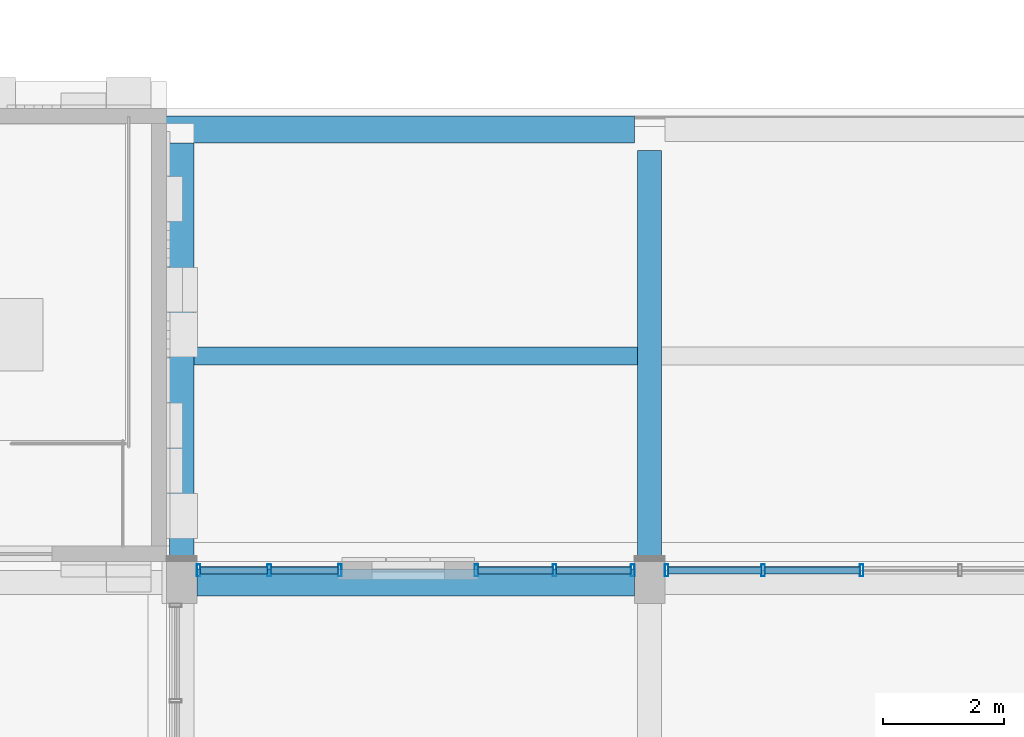
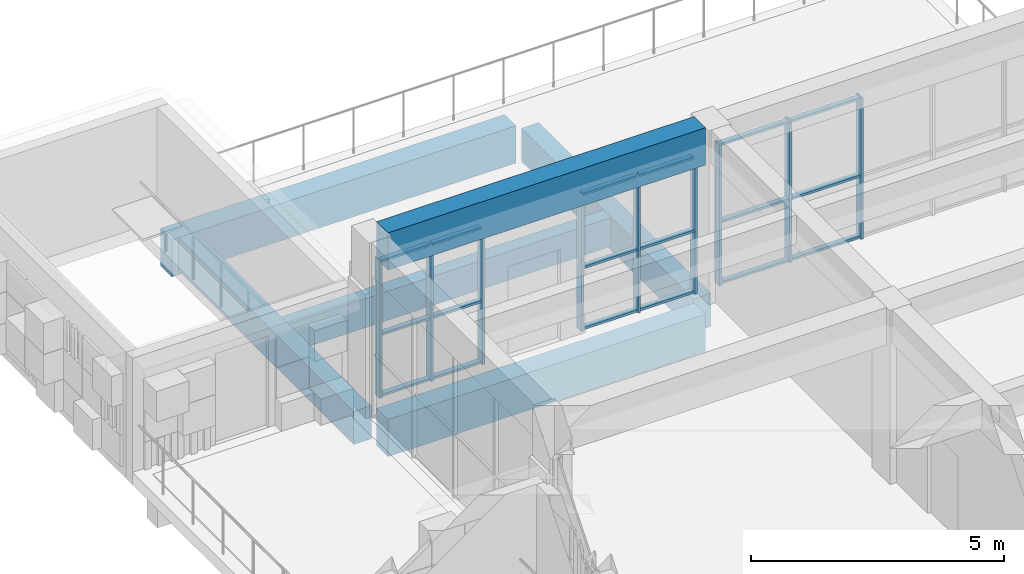
# One storey, part 12 of 26: 27 members, 6 beams, 3 elements without a shape of their own.
"""IFC4 building model written with IfcOpenShell, lengths in metres."""

from ifc_helpers import new_model, si_unit, direction, frame, origin, origin_2d, place, context, subcontext, project, spatial, rectangle, hollow_rectangle, extrude, material, material_profile, profile_set, type_object, element, aggregate, save


model = new_model("IFC4")

# Units and contexts
model_context = context("Model", 3, precision=1e-05, world=origin(), true_north=direction((0.0, 1.0)))
body_context = subcontext(model_context, "Body", "Model", "MODEL_VIEW")
ifc_project = project(units=[si_unit("LENGTHUNIT", "METRE"), si_unit("AREAUNIT", "SQUARE_METRE"), si_unit("VOLUMEUNIT", "CUBIC_METRE"), si_unit("PLANEANGLEUNIT", "RADIAN"), si_unit("MASSUNIT", "GRAM", prefix="KILO")], contexts=[model_context])

# Site, building, storey
site_placement = place(None, origin())
site = spatial("IfcSite", under=ifc_project, at=site_placement, CompositionType="ELEMENT")
building_placement = place(site_placement, origin())
building = spatial("IfcBuilding", under=site, at=building_placement, Name="Sun Court Science Centre", CompositionType="ELEMENT")
storey_placement = place(building_placement, frame((0.0, 0.0, 29.25)))
storey = spatial("IfcBuildingStorey", under=building, at=storey_placement, Name="L06", CompositionType="ELEMENT", Elevation=29.25)

# Curtain wall, members
ifc_material_1 = material(Name="Aluminium EN AW-6063 T6", Category="aluminium")
curtain_wall_type = type_object("IfcCurtainWallType", Name="Laboratory tall bay curtain wall 1500", PredefinedType="NOTDEFINED", material=ifc_material_1)
curtain_wall_1_placement = place(storey_placement, origin())
curtain_wall_1 = element("IfcCurtainWall", 1, at=curtain_wall_1_placement, inside=storey, type_object=curtain_wall_type, Name="Curtain wall V4 PN L06 01", PredefinedType="NOTDEFINED")
ifc_material_2 = material(Name="Aluminium EN AW-6063 T6", Category="aluminium")
ifc_material_profile_1 = material_profile(ifc_material_2, hollow_rectangle(XDim=0.06005859375, YDim=0.199951171875, WallThickness=0.0048828125, InnerFilletRadius=0.0048828125, OuterFilletRadius=0.007568359375, at=origin_2d()), Name="AL 60x200x5")
ifc_profile_set_1 = profile_set([ifc_material_profile_1], Name="Aluminium EN AW-6063 T6")
member_type_1 = type_object("IfcMemberType", Name="Curtain wall mullion AL 60x200", PredefinedType="MULLION", material=ifc_profile_set_1)
member_1_placement = place(storey_placement, frame((87.530029296875, 73.35009765625, 0.0), z_axis=(0.0, 0.0, 1.0), x_axis=(1.0, 0.0, 0.0)))
member_1 = element("IfcMember", 2, at=member_1_placement, type_object=member_type_1, Name="CW2-81 mullion 1", PredefinedType="MULLION", context=body_context, shape_type="SweptSolid", body=[
    extrude(hollow_rectangle(XDim=0.06005859375, YDim=0.199951171875, WallThickness=0.0048828125, InnerFilletRadius=0.0048828125, OuterFilletRadius=0.007568359375, at=origin_2d()), origin(), (0.0, 0.0, 1.0), 3.300048828125),
])
member_2_placement = place(storey_placement, frame((88.699951171875, 73.35009765625, 0.0), z_axis=(0.0, 0.0, 1.0), x_axis=(1.0, 0.0, 0.0)))
member_2 = element("IfcMember", 3, at=member_2_placement, type_object=member_type_1, Name="CW2-81 mullion 2", PredefinedType="MULLION", context=body_context, shape_type="SweptSolid", body=[
    extrude(hollow_rectangle(XDim=0.06005859375, YDim=0.199951171875, WallThickness=0.0048828125, InnerFilletRadius=0.0048828125, OuterFilletRadius=0.007568359375, at=origin_2d()), origin(), (0.0, 0.0, 1.0), 3.300048828125),
])
member_3_placement = place(storey_placement, frame((89.8701171875, 73.35009765625, 0.0), z_axis=(0.0, 0.0, 1.0), x_axis=(1.0, 0.0, 0.0)))
member_3 = element("IfcMember", 4, at=member_3_placement, type_object=member_type_1, Name="CW2-81 mullion 3", PredefinedType="MULLION", context=body_context, shape_type="SweptSolid", body=[
    extrude(hollow_rectangle(XDim=0.06005859375, YDim=0.199951171875, WallThickness=0.0048828125, InnerFilletRadius=0.0048828125, OuterFilletRadius=0.007568359375, at=origin_2d()), origin(), (0.0, 0.0, 1.0), 3.300048828125),
])

curtain_wall_2_placement = place(storey_placement, origin())
curtain_wall_2 = element("IfcCurtainWall", 5, at=curtain_wall_2_placement, inside=storey, type_object=curtain_wall_type, Name="Curtain wall V4 PN L06 02", PredefinedType="NOTDEFINED")
member_4_placement = place(storey_placement, frame((92.1298828125, 73.35009765625, 0.0), z_axis=(0.0, 0.0, 1.0), x_axis=(1.0, 0.0, 0.0)))
member_4 = element("IfcMember", 6, at=member_4_placement, type_object=member_type_1, Name="CW2-82 mullion 1", PredefinedType="MULLION", context=body_context, shape_type="SweptSolid", body=[
    extrude(hollow_rectangle(XDim=0.06005859375, YDim=0.199951171875, WallThickness=0.0048828125, InnerFilletRadius=0.0048828125, OuterFilletRadius=0.007568359375, at=origin_2d()), origin(), (0.0, 0.0, 1.0), 3.300048828125),
])
member_5_placement = place(storey_placement, frame((93.425048828125, 73.35009765625, 0.0), z_axis=(0.0, 0.0, 1.0), x_axis=(1.0, 0.0, 0.0)))
member_5 = element("IfcMember", 7, at=member_5_placement, type_object=member_type_1, Name="CW2-82 mullion 2", PredefinedType="MULLION", context=body_context, shape_type="SweptSolid", body=[
    extrude(hollow_rectangle(XDim=0.06005859375, YDim=0.199951171875, WallThickness=0.0048828125, InnerFilletRadius=0.0048828125, OuterFilletRadius=0.007568359375, at=origin_2d()), origin(), (0.0, 0.0, 1.0), 3.300048828125),
])
member_6_placement = place(storey_placement, frame((94.719970703125, 73.35009765625, 0.0), z_axis=(0.0, 0.0, 1.0), x_axis=(1.0, 0.0, 0.0)))
member_6 = element("IfcMember", 8, at=member_6_placement, type_object=member_type_1, Name="CW2-82 mullion 3", PredefinedType="MULLION", context=body_context, shape_type="SweptSolid", body=[
    extrude(hollow_rectangle(XDim=0.06005859375, YDim=0.199951171875, WallThickness=0.0048828125, InnerFilletRadius=0.0048828125, OuterFilletRadius=0.007568359375, at=origin_2d()), origin(), (0.0, 0.0, 1.0), 3.300048828125),
])

curtain_wall_3_placement = place(storey_placement, origin())
curtain_wall_3 = element("IfcCurtainWall", 9, at=curtain_wall_3_placement, inside=storey, type_object=curtain_wall_type, Name="Curtain wall V4 PN L06 03", PredefinedType="NOTDEFINED")
member_7_placement = place(storey_placement, frame((95.280029296875, 73.35009765625, 0.0), z_axis=(0.0, 0.0, 1.0), x_axis=(1.0, 0.0, 0.0)))
member_7 = element("IfcMember", 10, at=member_7_placement, type_object=member_type_1, Name="CW2-83 mullion 1", PredefinedType="MULLION", context=body_context, shape_type="SweptSolid", body=[
    extrude(hollow_rectangle(XDim=0.06005859375, YDim=0.199951171875, WallThickness=0.0048828125, InnerFilletRadius=0.0048828125, OuterFilletRadius=0.007568359375, at=origin_2d()), origin(), (0.0, 0.0, 1.0), 3.39990234375),
])
member_8_placement = place(storey_placement, frame((96.8798828125, 73.35009765625, 0.0), z_axis=(0.0, 0.0, 1.0), x_axis=(1.0, 0.0, 0.0)))
member_8 = element("IfcMember", 11, at=member_8_placement, type_object=member_type_1, Name="CW2-83 mullion 2", PredefinedType="MULLION", context=body_context, shape_type="SweptSolid", body=[
    extrude(hollow_rectangle(XDim=0.06005859375, YDim=0.199951171875, WallThickness=0.0048828125, InnerFilletRadius=0.0048828125, OuterFilletRadius=0.007568359375, at=origin_2d()), origin(), (0.0, 0.0, 1.0), 3.39990234375),
])
member_9_placement = place(storey_placement, frame((98.510009765625, 73.35009765625, 0.0), z_axis=(0.0, 0.0, 1.0), x_axis=(1.0, 0.0, 0.0)))
member_9 = element("IfcMember", 12, at=member_9_placement, type_object=member_type_1, Name="CW2-83 mullion 3", PredefinedType="MULLION", context=body_context, shape_type="SweptSolid", body=[
    extrude(hollow_rectangle(XDim=0.06005859375, YDim=0.199951171875, WallThickness=0.0048828125, InnerFilletRadius=0.0048828125, OuterFilletRadius=0.007568359375, at=origin_2d()), origin(), (0.0, 0.0, 1.0), 3.39990234375),
])

# Member
ifc_material_3 = material(Name="Aluminium EN AW-6063 T6", Category="aluminium")
ifc_material_profile_2 = material_profile(ifc_material_3, hollow_rectangle(XDim=0.06005859375, YDim=0.1201171875, WallThickness=0.00390625, InnerFilletRadius=0.00390625, OuterFilletRadius=0.006103515625, at=origin_2d()), Name="AL 60x120x4")
ifc_profile_set_2 = profile_set([ifc_material_profile_2], Name="Aluminium EN AW-6063 T6")
member_type_2 = type_object("IfcMemberType", Name="Curtain wall transom AL 60x120", PredefinedType="USERDEFINED", material=ifc_profile_set_2)
member_10_placement = place(storey_placement, frame((87.56005859375, 73.35009765625, 0.030029296875), z_axis=(1.0, 0.0, 0.0), x_axis=(0.0, 0.0, 1.0)))
member_10 = element("IfcMember", 13, at=member_10_placement, type_object=member_type_2, Name="CW2-81 transom 1.1", ObjectType="TRANSOM", PredefinedType="USERDEFINED", context=body_context, shape_type="SweptSolid", body=[
    extrude(hollow_rectangle(XDim=0.06005859375, YDim=0.1201171875, WallThickness=0.00390625, InnerFilletRadius=0.00390625, OuterFilletRadius=0.006103515625, at=origin_2d()), origin(), (0.0, 0.0, 1.0), 1.10986328125),
])

member_11_placement = place(storey_placement, frame((88.72998046875, 73.35009765625, 0.030029296875), z_axis=(1.0, 0.0, 0.0), x_axis=(0.0, 0.0, 1.0)))
member_11 = element("IfcMember", 14, at=member_11_placement, type_object=member_type_2, Name="CW2-81 transom 2.1", ObjectType="TRANSOM", PredefinedType="USERDEFINED", context=body_context, shape_type="SweptSolid", body=[
    extrude(hollow_rectangle(XDim=0.06005859375, YDim=0.1201171875, WallThickness=0.00390625, InnerFilletRadius=0.00390625, OuterFilletRadius=0.006103515625, at=origin_2d()), origin(), (0.0, 0.0, 1.0), 1.110107421875),
])

member_12_placement = place(storey_placement, frame((87.56005859375, 73.35009765625, 1.5), z_axis=(1.0, 0.0, 0.0), x_axis=(0.0, 0.0, 1.0)))
member_12 = element("IfcMember", 15, at=member_12_placement, type_object=member_type_2, Name="CW2-81 transom 1.2", ObjectType="TRANSOM", PredefinedType="USERDEFINED", context=body_context, shape_type="SweptSolid", body=[
    extrude(hollow_rectangle(XDim=0.06005859375, YDim=0.1201171875, WallThickness=0.00390625, InnerFilletRadius=0.00390625, OuterFilletRadius=0.006103515625, at=origin_2d()), origin(), (0.0, 0.0, 1.0), 1.10986328125),
])

member_13_placement = place(storey_placement, frame((88.72998046875, 73.35009765625, 1.5), z_axis=(1.0, 0.0, 0.0), x_axis=(0.0, 0.0, 1.0)))
member_13 = element("IfcMember", 16, at=member_13_placement, type_object=member_type_2, Name="CW2-81 transom 2.2", ObjectType="TRANSOM", PredefinedType="USERDEFINED", context=body_context, shape_type="SweptSolid", body=[
    extrude(hollow_rectangle(XDim=0.06005859375, YDim=0.1201171875, WallThickness=0.00390625, InnerFilletRadius=0.00390625, OuterFilletRadius=0.006103515625, at=origin_2d()), origin(), (0.0, 0.0, 1.0), 1.110107421875),
])

member_14_placement = place(storey_placement, frame((87.56005859375, 73.35009765625, 3.27001953125), z_axis=(1.0, 0.0, 0.0), x_axis=(0.0, 0.0, 1.0)))
member_14 = element("IfcMember", 17, at=member_14_placement, type_object=member_type_2, Name="CW2-81 transom 1.3", ObjectType="TRANSOM", PredefinedType="USERDEFINED", context=body_context, shape_type="SweptSolid", body=[
    extrude(hollow_rectangle(XDim=0.06005859375, YDim=0.1201171875, WallThickness=0.00390625, InnerFilletRadius=0.00390625, OuterFilletRadius=0.006103515625, at=origin_2d()), origin(), (0.0, 0.0, 1.0), 1.10986328125),
])

member_15_placement = place(storey_placement, frame((88.72998046875, 73.35009765625, 3.27001953125), z_axis=(1.0, 0.0, 0.0), x_axis=(0.0, 0.0, 1.0)))
member_15 = element("IfcMember", 18, at=member_15_placement, type_object=member_type_2, Name="CW2-81 transom 2.3", ObjectType="TRANSOM", PredefinedType="USERDEFINED", context=body_context, shape_type="SweptSolid", body=[
    extrude(hollow_rectangle(XDim=0.06005859375, YDim=0.1201171875, WallThickness=0.00390625, InnerFilletRadius=0.00390625, OuterFilletRadius=0.006103515625, at=origin_2d()), origin(), (0.0, 0.0, 1.0), 1.110107421875),
])

aggregate(curtain_wall_1, [member_1, member_2, member_3, member_10, member_11, member_12, member_13, member_14, member_15])

member_16_placement = place(storey_placement, frame((92.159912109375, 73.35009765625, 0.030029296875), z_axis=(1.0, 0.0, 0.0), x_axis=(0.0, 0.0, 1.0)))
member_16 = element("IfcMember", 19, at=member_16_placement, type_object=member_type_2, Name="CW2-82 transom 1.1", ObjectType="TRANSOM", PredefinedType="USERDEFINED", context=body_context, shape_type="SweptSolid", body=[
    extrude(hollow_rectangle(XDim=0.06005859375, YDim=0.1201171875, WallThickness=0.00390625, InnerFilletRadius=0.00390625, OuterFilletRadius=0.006103515625, at=origin_2d()), origin(), (0.0, 0.0, 1.0), 1.235107421875),
])

member_17_placement = place(storey_placement, frame((93.455078125, 73.35009765625, 0.030029296875), z_axis=(1.0, 0.0, 0.0), x_axis=(0.0, 0.0, 1.0)))
member_17 = element("IfcMember", 20, at=member_17_placement, type_object=member_type_2, Name="CW2-82 transom 2.1", ObjectType="TRANSOM", PredefinedType="USERDEFINED", context=body_context, shape_type="SweptSolid", body=[
    extrude(hollow_rectangle(XDim=0.06005859375, YDim=0.1201171875, WallThickness=0.00390625, InnerFilletRadius=0.00390625, OuterFilletRadius=0.006103515625, at=origin_2d()), origin(), (0.0, 0.0, 1.0), 1.23486328125),
])

member_18_placement = place(storey_placement, frame((92.159912109375, 73.35009765625, 1.5), z_axis=(1.0, 0.0, 0.0), x_axis=(0.0, 0.0, 1.0)))
member_18 = element("IfcMember", 21, at=member_18_placement, type_object=member_type_2, Name="CW2-82 transom 1.2", ObjectType="TRANSOM", PredefinedType="USERDEFINED", context=body_context, shape_type="SweptSolid", body=[
    extrude(hollow_rectangle(XDim=0.06005859375, YDim=0.1201171875, WallThickness=0.00390625, InnerFilletRadius=0.00390625, OuterFilletRadius=0.006103515625, at=origin_2d()), origin(), (0.0, 0.0, 1.0), 1.235107421875),
])

member_19_placement = place(storey_placement, frame((93.455078125, 73.35009765625, 1.5), z_axis=(1.0, 0.0, 0.0), x_axis=(0.0, 0.0, 1.0)))
member_19 = element("IfcMember", 22, at=member_19_placement, type_object=member_type_2, Name="CW2-82 transom 2.2", ObjectType="TRANSOM", PredefinedType="USERDEFINED", context=body_context, shape_type="SweptSolid", body=[
    extrude(hollow_rectangle(XDim=0.06005859375, YDim=0.1201171875, WallThickness=0.00390625, InnerFilletRadius=0.00390625, OuterFilletRadius=0.006103515625, at=origin_2d()), origin(), (0.0, 0.0, 1.0), 1.23486328125),
])

member_20_placement = place(storey_placement, frame((92.159912109375, 73.35009765625, 3.27001953125), z_axis=(1.0, 0.0, 0.0), x_axis=(0.0, 0.0, 1.0)))
member_20 = element("IfcMember", 23, at=member_20_placement, type_object=member_type_2, Name="CW2-82 transom 1.3", ObjectType="TRANSOM", PredefinedType="USERDEFINED", context=body_context, shape_type="SweptSolid", body=[
    extrude(hollow_rectangle(XDim=0.06005859375, YDim=0.1201171875, WallThickness=0.00390625, InnerFilletRadius=0.00390625, OuterFilletRadius=0.006103515625, at=origin_2d()), origin(), (0.0, 0.0, 1.0), 1.235107421875),
])

member_21_placement = place(storey_placement, frame((93.455078125, 73.35009765625, 3.27001953125), z_axis=(1.0, 0.0, 0.0), x_axis=(0.0, 0.0, 1.0)))
member_21 = element("IfcMember", 24, at=member_21_placement, type_object=member_type_2, Name="CW2-82 transom 2.3", ObjectType="TRANSOM", PredefinedType="USERDEFINED", context=body_context, shape_type="SweptSolid", body=[
    extrude(hollow_rectangle(XDim=0.06005859375, YDim=0.1201171875, WallThickness=0.00390625, InnerFilletRadius=0.00390625, OuterFilletRadius=0.006103515625, at=origin_2d()), origin(), (0.0, 0.0, 1.0), 1.23486328125),
])

aggregate(curtain_wall_2, [member_4, member_5, member_6, member_16, member_17, member_18, member_19, member_20, member_21])

member_22_placement = place(storey_placement, frame((95.31005859375, 73.35009765625, 0.030029296875), z_axis=(1.0, 0.0, 0.0), x_axis=(0.0, 0.0, 1.0)))
member_22 = element("IfcMember", 25, at=member_22_placement, type_object=member_type_2, Name="CW2-83 transom 1.1", ObjectType="TRANSOM", PredefinedType="USERDEFINED", context=body_context, shape_type="SweptSolid", body=[
    extrude(hollow_rectangle(XDim=0.06005859375, YDim=0.1201171875, WallThickness=0.00390625, InnerFilletRadius=0.00390625, OuterFilletRadius=0.006103515625, at=origin_2d()), origin(), (0.0, 0.0, 1.0), 1.5400390625),
])

member_23_placement = place(storey_placement, frame((96.909912109375, 73.35009765625, 0.030029296875), z_axis=(1.0, 0.0, 0.0), x_axis=(0.0, 0.0, 1.0)))
member_23 = element("IfcMember", 26, at=member_23_placement, type_object=member_type_2, Name="CW2-83 transom 2.1", ObjectType="TRANSOM", PredefinedType="USERDEFINED", context=body_context, shape_type="SweptSolid", body=[
    extrude(hollow_rectangle(XDim=0.06005859375, YDim=0.1201171875, WallThickness=0.00390625, InnerFilletRadius=0.00390625, OuterFilletRadius=0.006103515625, at=origin_2d()), origin(), (0.0, 0.0, 1.0), 1.570068359375),
])

member_24_placement = place(storey_placement, frame((95.31005859375, 73.35009765625, 1.5), z_axis=(1.0, 0.0, 0.0), x_axis=(0.0, 0.0, 1.0)))
member_24 = element("IfcMember", 27, at=member_24_placement, type_object=member_type_2, Name="CW2-83 transom 1.2", ObjectType="TRANSOM", PredefinedType="USERDEFINED", context=body_context, shape_type="SweptSolid", body=[
    extrude(hollow_rectangle(XDim=0.06005859375, YDim=0.1201171875, WallThickness=0.00390625, InnerFilletRadius=0.00390625, OuterFilletRadius=0.006103515625, at=origin_2d()), origin(), (0.0, 0.0, 1.0), 1.5400390625),
])

member_25_placement = place(storey_placement, frame((96.909912109375, 73.35009765625, 1.5), z_axis=(1.0, 0.0, 0.0), x_axis=(0.0, 0.0, 1.0)))
member_25 = element("IfcMember", 28, at=member_25_placement, type_object=member_type_2, Name="CW2-83 transom 2.2", ObjectType="TRANSOM", PredefinedType="USERDEFINED", context=body_context, shape_type="SweptSolid", body=[
    extrude(hollow_rectangle(XDim=0.06005859375, YDim=0.1201171875, WallThickness=0.00390625, InnerFilletRadius=0.00390625, OuterFilletRadius=0.006103515625, at=origin_2d()), origin(), (0.0, 0.0, 1.0), 1.570068359375),
])

member_26_placement = place(storey_placement, frame((95.31005859375, 73.35009765625, 3.3701171875), z_axis=(1.0, 0.0, 0.0), x_axis=(0.0, 0.0, 1.0)))
member_26 = element("IfcMember", 29, at=member_26_placement, type_object=member_type_2, Name="CW2-83 transom 1.3", ObjectType="TRANSOM", PredefinedType="USERDEFINED", context=body_context, shape_type="SweptSolid", body=[
    extrude(hollow_rectangle(XDim=0.06005859375, YDim=0.1201171875, WallThickness=0.00390625, InnerFilletRadius=0.00390625, OuterFilletRadius=0.006103515625, at=origin_2d()), origin(), (0.0, 0.0, 1.0), 1.5400390625),
])

member_27_placement = place(storey_placement, frame((96.909912109375, 73.35009765625, 3.3701171875), z_axis=(1.0, 0.0, 0.0), x_axis=(0.0, 0.0, 1.0)))
member_27 = element("IfcMember", 30, at=member_27_placement, type_object=member_type_2, Name="CW2-83 transom 2.3", ObjectType="TRANSOM", PredefinedType="USERDEFINED", context=body_context, shape_type="SweptSolid", body=[
    extrude(hollow_rectangle(XDim=0.06005859375, YDim=0.1201171875, WallThickness=0.00390625, InnerFilletRadius=0.00390625, OuterFilletRadius=0.006103515625, at=origin_2d()), origin(), (0.0, 0.0, 1.0), 1.570068359375),
])

aggregate(curtain_wall_3, [member_7, member_8, member_9, member_22, member_23, member_24, member_25, member_26, member_27])

# Beams
ifc_material_4 = material(Name="Concrete C25/30", Category="concrete")
ifc_material_profile_3 = material_profile(ifc_material_4, rectangle(XDim=0.39990234375, YDim=0.800048828125, at=origin_2d()), Name="RC 400x800")
ifc_profile_set_3 = profile_set([ifc_material_profile_3], Name="Concrete C25/30")
beam_type_1 = type_object("IfcBeamType", Name="RC girder 400x800", PredefinedType="BEAM", material=ifc_profile_set_3)
beam_1_placement = place(storey_placement, frame((87.25, 73.5, -0.699951171875), z_axis=(0.0, 1.0, 0.0), x_axis=(-1.0, 0.0, 0.0)))
element("IfcBeam", 31, at=beam_1_placement, inside=storey, type_object=beam_type_1, Name="Girder L06 line 1", PredefinedType="BEAM", context=body_context, shape_type="SweptSolid", body=[
    extrude(rectangle(XDim=0.39990234375, YDim=0.800048828125, at=origin_2d()), origin(), (0.0, 0.0, 1.0), 6.925048828125),
])
beam_2_placement = place(storey_placement, frame((95.0, 73.5, -0.699951171875), z_axis=(0.0, 1.0, 0.0), x_axis=(-1.0, 0.0, 0.0)))
element("IfcBeam", 32, at=beam_2_placement, inside=storey, type_object=beam_type_1, Name="Girder L06 line 2", PredefinedType="BEAM", context=body_context, shape_type="SweptSolid", body=[
    extrude(rectangle(XDim=0.39990234375, YDim=0.800048828125, at=origin_2d()), origin(), (0.0, 0.0, 1.0), 6.800048828125),
])
ifc_material_5 = material(Name="Concrete C25/30", Category="concrete")
ifc_material_profile_4 = material_profile(ifc_material_5, rectangle(XDim=0.449951171875, YDim=0.89990234375, at=origin_2d()), Name="RC 450x900")
ifc_profile_set_4 = profile_set([ifc_material_profile_4], Name="Concrete C25/30")
beam_type_2 = type_object("IfcBeamType", Name="RC girder 450x900", PredefinedType="BEAM", material=ifc_profile_set_4)
beam_3_placement = place(storey_placement, frame((87.5, 73.14990234375, -0.75), z_axis=(1.0, 0.0, 0.0), x_axis=(0.0, 1.0, 0.0)))
element("IfcBeam", 33, at=beam_3_placement, inside=storey, type_object=beam_type_2, Name="Girder L06 row 7", PredefinedType="BEAM", context=body_context, shape_type="SweptSolid", body=[
    extrude(rectangle(XDim=0.449951171875, YDim=0.89990234375, at=origin_2d()), origin(), (0.0, 0.0, 1.0), 7.25),
])
beam_4_placement = place(storey_placement, frame((86.89990234375, 80.64990234375, -0.75), z_axis=(1.0, 0.0, 0.0), x_axis=(0.0, 1.0, 0.0)))
element("IfcBeam", 34, at=beam_4_placement, inside=storey, type_object=beam_type_2, Name="Girder L06 row 8", PredefinedType="BEAM", context=body_context, shape_type="SweptSolid", body=[
    extrude(rectangle(XDim=0.449951171875, YDim=0.89990234375, at=origin_2d()), origin(), (0.0, 0.0, 1.0), 7.85009765625),
])
beam_5_placement = place(storey_placement, frame((87.5, 73.14990234375, 3.75), z_axis=(1.0, 0.0, 0.0), x_axis=(0.0, 1.0, 0.0)))
element("IfcBeam", 35, at=beam_5_placement, inside=storey, type_object=beam_type_2, Name="Girder L06P row 5", PredefinedType="BEAM", context=body_context, shape_type="SweptSolid", body=[
    extrude(rectangle(XDim=0.449951171875, YDim=0.89990234375, at=origin_2d()), origin(), (0.0, 0.0, 1.0), 7.25),
])
ifc_material_6 = material(Name="Concrete C25/30", Category="concrete")
ifc_material_profile_5 = material_profile(ifc_material_6, rectangle(XDim=0.300048828125, YDim=0.699951171875, at=origin_2d()), Name="RC 300x700")
ifc_profile_set_5 = profile_set([ifc_material_profile_5], Name="Concrete C25/30")
beam_type_3 = type_object("IfcBeamType", Name="RC joist 300x700", PredefinedType="JOIST", material=ifc_profile_set_5)
beam_6_placement = place(storey_placement, frame((87.449951171875, 76.89990234375, -0.64990234375), z_axis=(1.0, 0.0, 0.0), x_axis=(0.0, 1.0, 0.0)))
element("IfcBeam", 36, at=beam_6_placement, inside=storey, type_object=beam_type_3, Name="Joist L06", PredefinedType="JOIST", context=body_context, shape_type="SweptSolid", body=[
    extrude(rectangle(XDim=0.300048828125, YDim=0.699951171875, at=origin_2d()), origin(), (0.0, 0.0, 1.0), 7.35009765625),
])

save(model, "model.ifc")
